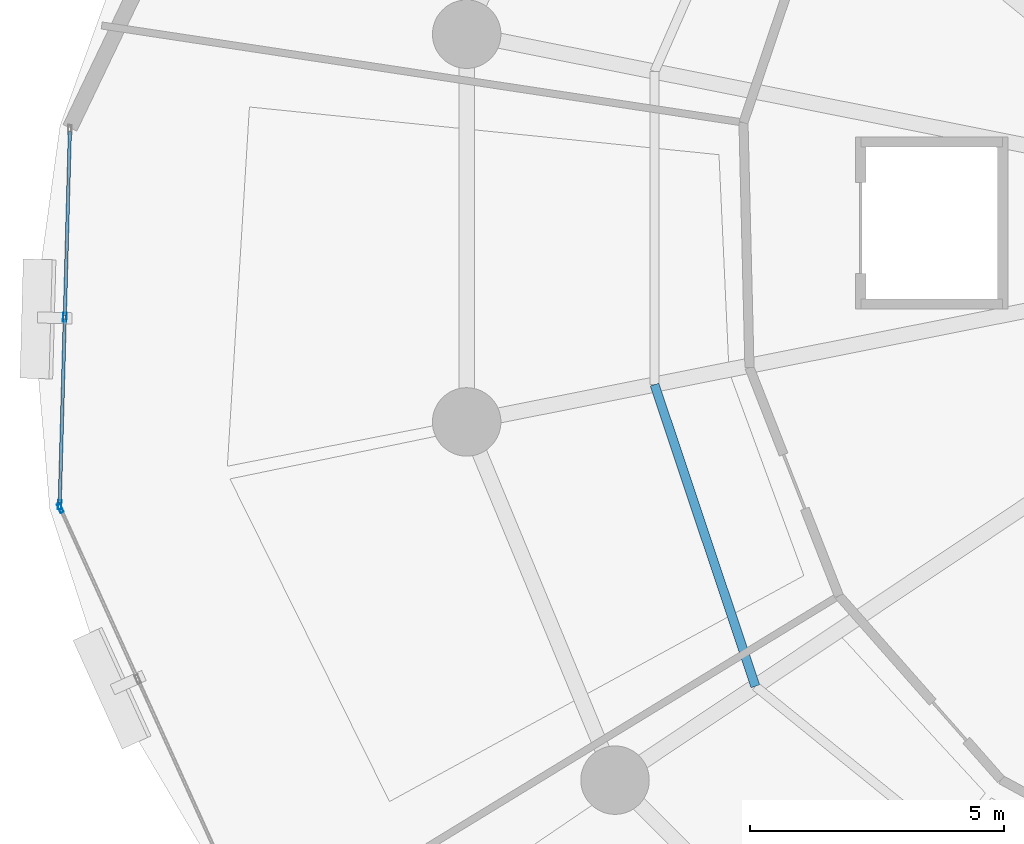
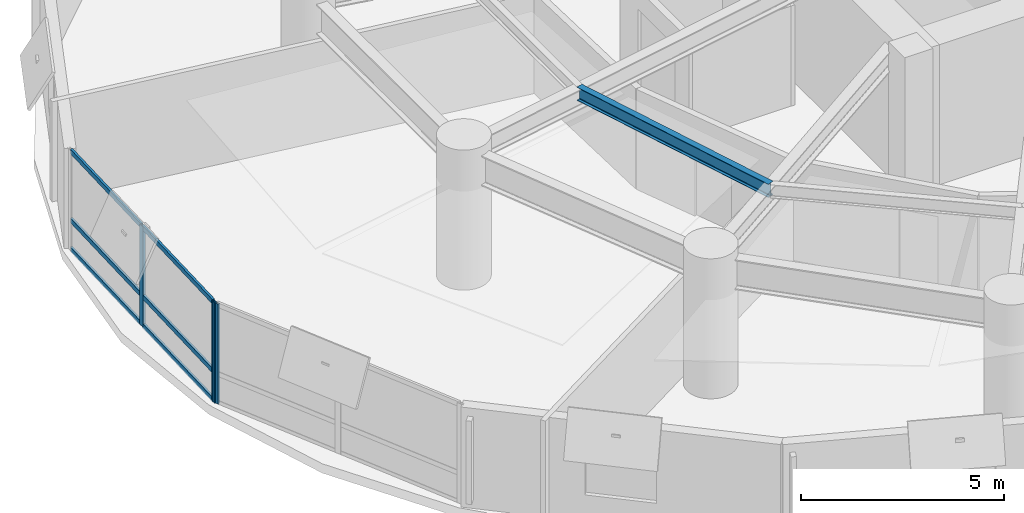
# One storey, part 4 of 17: 9 members, 1 beam, 2 elements without a shape of their own.
"""IFC4 building model written with IfcOpenShell, lengths in metres."""

from ifc_helpers import new_model, si_unit, direction, frame, origin, origin_2d, place, context, subcontext, project, spatial, hollow_rectangle, i_section, extrude, material, layer, layer_set, material_profile, profile_set, type_object, element, aggregate, save


model = new_model("IFC4")

# Units and contexts
model_context = context("Model", 3, precision=1e-05, world=origin(), true_north=direction((0.0, 1.0)))
body_context = subcontext(model_context, "Body", "Model", "MODEL_VIEW")
ifc_project = project(units=[si_unit("LENGTHUNIT", "METRE"), si_unit("AREAUNIT", "SQUARE_METRE"), si_unit("VOLUMEUNIT", "CUBIC_METRE"), si_unit("PLANEANGLEUNIT", "RADIAN"), si_unit("MASSUNIT", "GRAM", prefix="KILO"), si_unit("THERMODYNAMICTEMPERATUREUNIT", "KELVIN"), si_unit("POWERUNIT", "WATT")], contexts=[model_context])

# Site, building, storey
site_placement = place(None, origin())
site = spatial("IfcSite", under=ifc_project, at=site_placement, CompositionType="ELEMENT")
building_placement = place(site_placement, origin())
building = spatial("IfcBuilding", under=site, at=building_placement, Name="Ocrelia Relay Tower", CompositionType="ELEMENT")
storey_placement = place(building_placement, frame((0.0, 0.0, 80.39990234375)))
storey = spatial("IfcBuildingStorey", under=building, at=storey_placement, Name="L18", CompositionType="ELEMENT", Elevation=80.39990234375)

# Beam
ifc_material_1 = material(Name="Steel S355", Category="steel")
ifc_material_profile_1 = material_profile(ifc_material_1, i_section(OverallWidth=0.179931640625, OverallDepth=0.39990234375, WebThickness=0.008544921875, FlangeThickness=0.013427734375, FilletRadius=0.02099609375, at=origin_2d()), Name="IPE 400")
ifc_profile_set_1 = profile_set([ifc_material_profile_1], Name="Steel S355")
beam_type = type_object("IfcBeamType", Name="BM-IPE400", PredefinedType="JOIST", material=ifc_profile_set_1)
beam_placement = place(storey_placement, frame((18.481689453125, 22.9130859375, 3.72021484375), z_axis=(0.317067865999, -0.948402851298, 0.0), x_axis=(0.948402851298, 0.317067865999, 0.0)))
element("IfcBeam", 1, at=beam_placement, inside=storey, type_object=beam_type, Name="L18 Secondary Floor Joist J09", PredefinedType="JOIST", context=body_context, shape_type="SweptSolid", body=[
    extrude(i_section(OverallWidth=0.179931640625, OverallDepth=0.39990234375, WebThickness=0.008544921875, FlangeThickness=0.013427734375, FilletRadius=0.02099609375, at=origin_2d()), origin(), (0.0, 0.0, 1.0), 6.276123046875),
])

# Curtain wall, members
ifc_material_2 = material(Name="Aluminium and solar-control low-E glass", Category="aluminium")
ifc_layer = layer(ifc_material_2, 0.179931640625, Name="Aluminium and solar-control low-E glass")
ifc_layer_set = layer_set([ifc_layer], Name="Aluminium and solar-control low-E glass")
curtain_wall_type = type_object("IfcCurtainWallType", Name="CW-SYS-Z1-DATA", PredefinedType="NOTDEFINED", material=ifc_layer_set)
curtain_wall_1_placement = place(storey_placement, origin())
curtain_wall_1 = element("IfcCurtainWall", 2, at=curtain_wall_1_placement, inside=storey, type_object=curtain_wall_type, Name="L18 Elliptical Tower Curtain Wall Bay 09", PredefinedType="NOTDEFINED")
ifc_material_3 = material(Name="Anodised bronze aluminium", Category="aluminium")
ifc_material_profile_2 = material_profile(ifc_material_3, hollow_rectangle(XDim=0.070068359375, YDim=0.179931640625, WallThickness=0.006103515625, at=origin_2d()), Name="CW-MUL-180x70")
ifc_profile_set_2 = profile_set([ifc_material_profile_2], Name="Anodised bronze aluminium")
member_type_1 = type_object("IfcMemberType", Name="CW-SYS-Z1-DATA-MUL", PredefinedType="MULLION", material=ifc_profile_set_2)
member_1_placement = place(storey_placement, frame((6.850341796875, 24.241455078125, 0.0), z_axis=(0.0, 0.0, 1.0), x_axis=(0.999629402691, -0.027222367212, 0.0)))
member_1 = element("IfcMember", 3, at=member_1_placement, type_object=member_type_1, Name="CW-Z1 mullion 2", PredefinedType="MULLION", context=body_context, shape_type="SweptSolid", body=[
    extrude(hollow_rectangle(XDim=0.070068359375, YDim=0.179931640625, WallThickness=0.006103515625, at=origin_2d()), origin(), (0.0, 0.0, 1.0), 3.0),
])
member_2_placement = place(storey_placement, frame((6.74951171875, 20.5400390625, 0.0), z_axis=(0.0, 0.0, 1.0), x_axis=(0.999629402691, -0.027222367212, 0.0)))
member_2 = element("IfcMember", 4, at=member_2_placement, type_object=member_type_1, Name="CW-Z1 mullion 3", PredefinedType="MULLION", context=body_context, shape_type="SweptSolid", body=[
    extrude(hollow_rectangle(XDim=0.070068359375, YDim=0.179931640625, WallThickness=0.006103515625, at=origin_2d()), origin(), (0.0, 0.0, 1.0), 3.0),
])

# Curtain wall, member
curtain_wall_2_placement = place(storey_placement, origin())
curtain_wall_2 = element("IfcCurtainWall", 5, at=curtain_wall_2_placement, inside=storey, type_object=curtain_wall_type, Name="L18 Elliptical Tower Curtain Wall Bay 10", PredefinedType="NOTDEFINED")
member_3_placement = place(storey_placement, frame((6.762939453125, 20.47314453125, 0.0), z_axis=(0.0, 0.0, 1.0), x_axis=(0.910970682589, 0.41247110864, 0.0)))
member_3 = element("IfcMember", 6, at=member_3_placement, type_object=member_type_1, Name="CW-Z1 mullion 1", PredefinedType="MULLION", context=body_context, shape_type="SweptSolid", body=[
    extrude(hollow_rectangle(XDim=0.070068359375, YDim=0.179931640625, WallThickness=0.006103515625, at=origin_2d()), origin(), (0.0, 0.0, 1.0), 3.0),
])
aggregate(curtain_wall_2, [member_3])

# Member
ifc_material_profile_3 = material_profile(ifc_material_3, hollow_rectangle(XDim=0.06494140625, YDim=0.139892578125, WallThickness=0.0048828125, at=origin_2d()), Name="CW-TRN-140x65")
ifc_profile_set_3 = profile_set([ifc_material_profile_3], Name="Anodised bronze aluminium")
member_type_2 = type_object("IfcMemberType", Name="CW-SYS-Z1-DATA-TRN", PredefinedType="USERDEFINED", material=ifc_profile_set_3)
member_4_placement = place(storey_placement, frame((6.9501953125, 27.90771484375, 0.03271484375), z_axis=(-0.027218633136, -0.999629504372, 0.0), x_axis=(0.999629504372, -0.027218633136, 0.0)))
member_4 = element("IfcMember", 7, at=member_4_placement, type_object=member_type_2, Name="CW-Z1 transom 1.1", ObjectType="TRANSOM", PredefinedType="USERDEFINED", context=body_context, shape_type="SweptSolid", body=[
    extrude(hollow_rectangle(XDim=0.06494140625, YDim=0.139892578125, WallThickness=0.0048828125, at=origin_2d()), origin(), (0.0, 0.0, 1.0), 3.6328125),
])

member_5_placement = place(storey_placement, frame((6.9501953125, 27.90771484375, 0.900146484375), z_axis=(-0.027218633136, -0.999629504372, 0.0), x_axis=(0.999629504372, -0.027218633136, 0.0)))
member_5 = element("IfcMember", 8, at=member_5_placement, type_object=member_type_2, Name="CW-Z1 transom 1.2", ObjectType="TRANSOM", PredefinedType="USERDEFINED", context=body_context, shape_type="SweptSolid", body=[
    extrude(hollow_rectangle(XDim=0.06494140625, YDim=0.139892578125, WallThickness=0.0048828125, at=origin_2d()), origin(), (0.0, 0.0, 1.0), 3.6328125),
])

member_6_placement = place(storey_placement, frame((6.9501953125, 27.90771484375, 2.967529296875), z_axis=(-0.027218633136, -0.999629504372, 0.0), x_axis=(0.999629504372, -0.027218633136, 0.0)))
member_6 = element("IfcMember", 9, at=member_6_placement, type_object=member_type_2, Name="CW-Z1 transom 1.3", ObjectType="TRANSOM", PredefinedType="USERDEFINED", context=body_context, shape_type="SweptSolid", body=[
    extrude(hollow_rectangle(XDim=0.06494140625, YDim=0.139892578125, WallThickness=0.0048828125, at=origin_2d()), origin(), (0.0, 0.0, 1.0), 3.6328125),
])

member_7_placement = place(storey_placement, frame((6.849365234375, 24.20654296875, 0.03271484375), z_axis=(-0.027218633136, -0.999629504372, 0.0), x_axis=(0.999629504372, -0.027218633136, 0.0)))
member_7 = element("IfcMember", 10, at=member_7_placement, type_object=member_type_2, Name="CW-Z1 transom 2.1", ObjectType="TRANSOM", PredefinedType="USERDEFINED", context=body_context, shape_type="SweptSolid", body=[
    extrude(hollow_rectangle(XDim=0.06494140625, YDim=0.139892578125, WallThickness=0.0048828125, at=origin_2d()), origin(), (0.0, 0.0, 1.0), 3.6328125),
])

member_8_placement = place(storey_placement, frame((6.849365234375, 24.20654296875, 0.900146484375), z_axis=(-0.027218633136, -0.999629504372, 0.0), x_axis=(0.999629504372, -0.027218633136, 0.0)))
member_8 = element("IfcMember", 11, at=member_8_placement, type_object=member_type_2, Name="CW-Z1 transom 2.2", ObjectType="TRANSOM", PredefinedType="USERDEFINED", context=body_context, shape_type="SweptSolid", body=[
    extrude(hollow_rectangle(XDim=0.06494140625, YDim=0.139892578125, WallThickness=0.0048828125, at=origin_2d()), origin(), (0.0, 0.0, 1.0), 3.6328125),
])

member_9_placement = place(storey_placement, frame((6.849365234375, 24.20654296875, 2.967529296875), z_axis=(-0.027218633136, -0.999629504372, 0.0), x_axis=(0.999629504372, -0.027218633136, 0.0)))
member_9 = element("IfcMember", 12, at=member_9_placement, type_object=member_type_2, Name="CW-Z1 transom 2.3", ObjectType="TRANSOM", PredefinedType="USERDEFINED", context=body_context, shape_type="SweptSolid", body=[
    extrude(hollow_rectangle(XDim=0.06494140625, YDim=0.139892578125, WallThickness=0.0048828125, at=origin_2d()), origin(), (0.0, 0.0, 1.0), 3.6328125),
])

aggregate(curtain_wall_1, [member_1, member_2, member_4, member_5, member_6, member_7, member_8, member_9])

save(model, "model.ifc")
